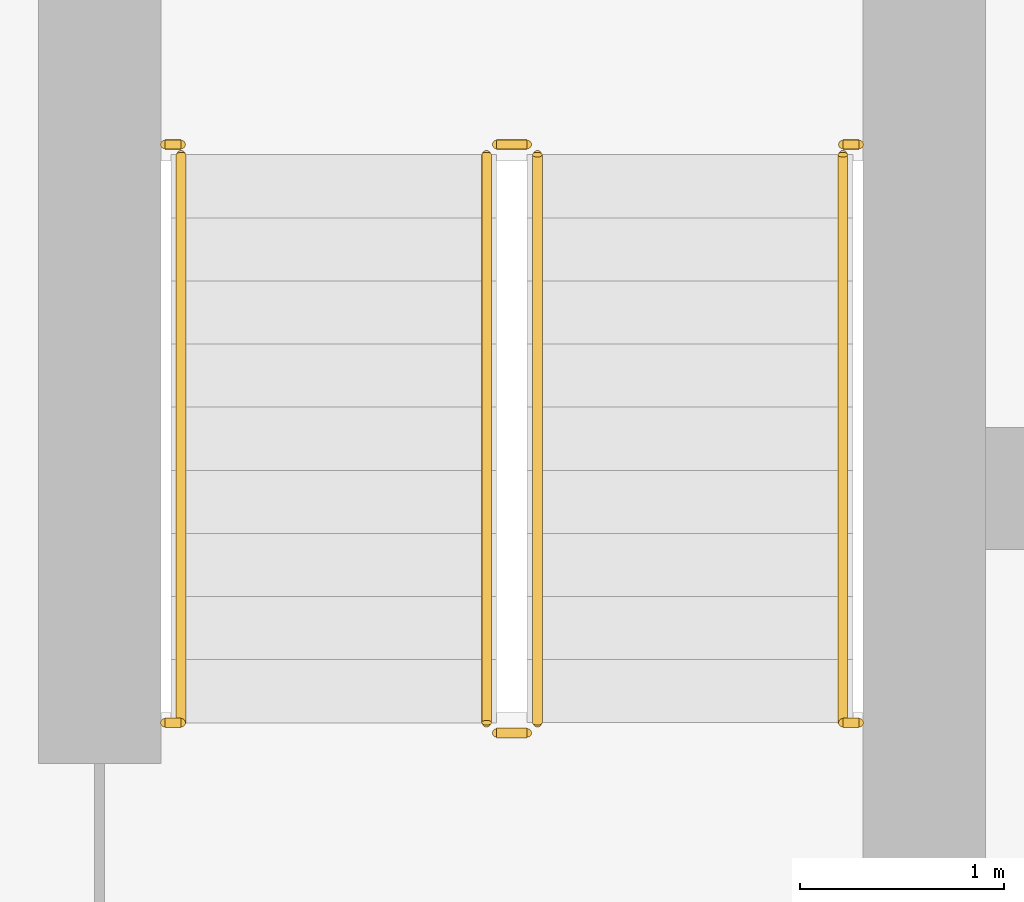
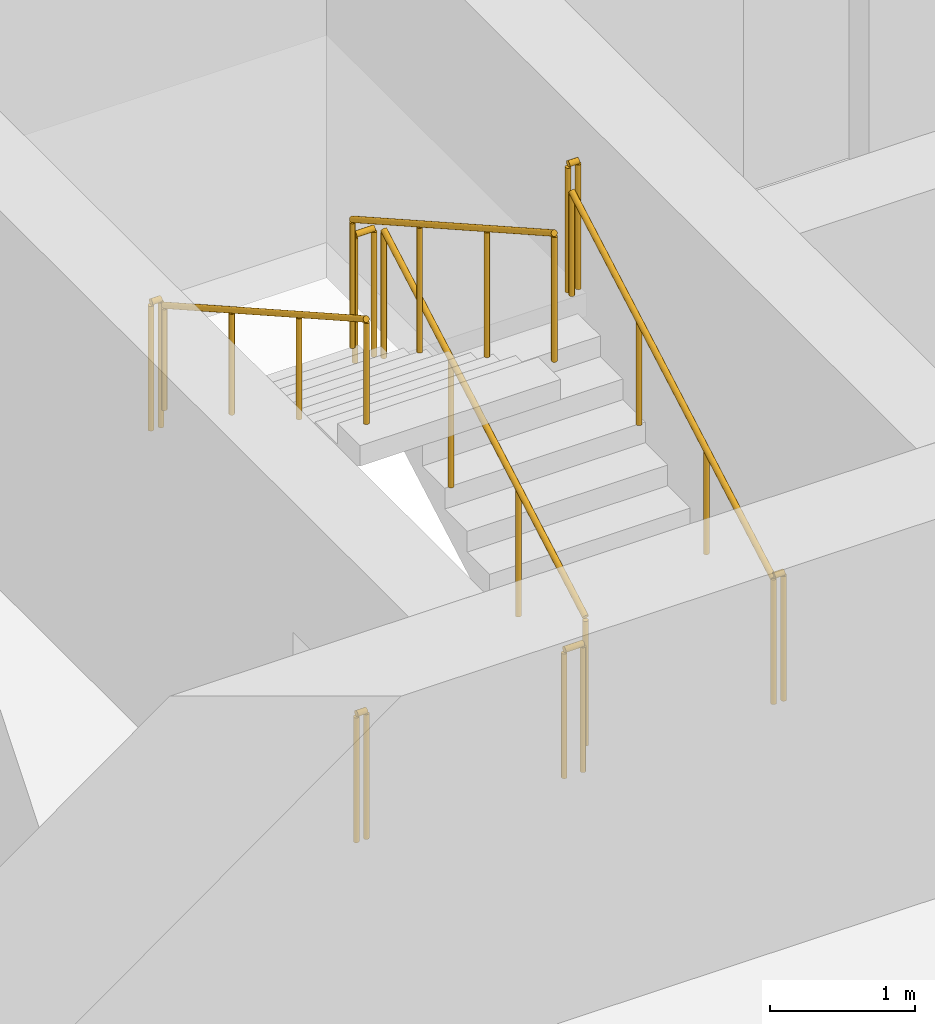
# One storey, part 18 of 22: 10 railings.
"""IFC4 building model written with IfcOpenShell, lengths in metres."""

from ifc_helpers import new_model, si_unit, direction, frame, origin, origin_2d, place, context, subcontext, project, spatial, circle, extrude, material, type_object, element, save


model = new_model("IFC4")

# Units and contexts
model_context = context("Model", 3, precision=1e-05, world=origin(), true_north=direction((0.0, 1.0)))
body_context = subcontext(model_context, "Body", "Model", "MODEL_VIEW")
ifc_project = project(units=[si_unit("LENGTHUNIT", "METRE"), si_unit("AREAUNIT", "SQUARE_METRE"), si_unit("VOLUMEUNIT", "CUBIC_METRE"), si_unit("PLANEANGLEUNIT", "RADIAN"), si_unit("MASSUNIT", "GRAM", prefix="KILO")], contexts=[model_context])

# Site, building, storey
site_placement = place(None, origin())
site = spatial("IfcSite", under=ifc_project, at=site_placement, CompositionType="ELEMENT")
building_placement = place(site_placement, origin())
building = spatial("IfcBuilding", under=site, at=building_placement, Name="Madar Terraces", CompositionType="ELEMENT")
storey_placement = place(building_placement, frame((0.0, 0.0, 152.5)))
storey = spatial("IfcBuildingStorey", under=building, at=storey_placement, Name="L39", CompositionType="ELEMENT", Elevation=152.5)

# Railings
ifc_material_1 = material(Name="Stainless steel railing", Category="steel")
railing_type_1 = type_object("IfcRailingType", Name="Stair guard 1100", PredefinedType="GUARDRAIL", material=ifc_material_1)
railing_1_placement = place(storey_placement, frame((21.199951171875, 17.60009765625, 0.175048828125)))
element("IfcRailing", 1, at=railing_1_placement, inside=storey, type_object=railing_type_1, Name="L39 ST1 stair guard 1", PredefinedType="GUARDRAIL", context=body_context, shape_type="SweptSolid", body=[
    extrude(circle(Radius=0.02392578125, at=origin_2d()), frame((0.0, 0.0, 1.076171875), z_axis=(0.0, 0.870815363784, 0.491610213684), x_axis=(-1.0, 0.0, 0.0)), (0.0, 0.0, 1.0), 3.20361328125),
    extrude(circle(Radius=0.02099609375, at=origin_2d()), origin(), (0.0, 0.0, 1.0), 1.052001953125),
    extrude(circle(Radius=0.02099609375, at=origin_2d()), frame((0.0, 0.929931640625, 0.52490234375)), (0.0, 0.0, 1.0), 1.052001953125),
    extrude(circle(Radius=0.02099609375, at=origin_2d()), frame((0.0, 1.85986328125, 1.050048828125)), (0.0, 0.0, 1.0), 1.052001953125),
    extrude(circle(Radius=0.02099609375, at=origin_2d()), frame((0.0, 2.789794921875, 1.574951171875)), (0.0, 0.0, 1.0), 1.052001953125),
])
railing_2_placement = place(storey_placement, frame((21.14990234375, 20.43994140625, 1.75)))
element("IfcRailing", 2, at=railing_2_placement, inside=storey, type_object=railing_type_1, Name="L39 ST1 stair guard 2", PredefinedType="GUARDRAIL", context=body_context, shape_type="SweptSolid", body=[
    extrude(circle(Radius=0.02392578125, at=origin_2d()), frame((0.0, 0.0, 1.076171875), z_axis=(-1.0, 0.0, 0.0), x_axis=(0.0, -1.0, 0.0)), (0.0, 0.0, 1.0), 0.14990234375),
    extrude(circle(Radius=0.02099609375, at=origin_2d()), origin(), (0.0, 0.0, 1.0), 1.052001953125),
    extrude(circle(Radius=0.02099609375, at=origin_2d()), frame((-0.14990234375, 0.0, 0.0)), (0.0, 0.0, 1.0), 1.052001953125),
])
railing_3_placement = place(storey_placement, frame((20.949951171875, 20.389892578125, 1.925048828125)))
element("IfcRailing", 3, at=railing_3_placement, inside=storey, type_object=railing_type_1, Name="L39 ST1 stair guard 3", PredefinedType="GUARDRAIL", context=body_context, shape_type="SweptSolid", body=[
    extrude(circle(Radius=0.02392578125, at=origin_2d()), frame((0.0, 0.0, 1.076171875), z_axis=(0.0, -0.870815363784, 0.491610213684), x_axis=(1.0, 0.0, 0.0)), (0.0, 0.0, 1.0), 3.20361328125),
    extrude(circle(Radius=0.02099609375, at=origin_2d()), origin(), (0.0, 0.0, 1.0), 1.052001953125),
    extrude(circle(Radius=0.02099609375, at=origin_2d()), frame((0.0, -0.929931640625, 0.52490234375)), (0.0, 0.0, 1.0), 1.052001953125),
    extrude(circle(Radius=0.02099609375, at=origin_2d()), frame((0.0, -1.85986328125, 1.050048828125)), (0.0, 0.0, 1.0), 1.052001953125),
    extrude(circle(Radius=0.02099609375, at=origin_2d()), frame((0.0, -2.789794921875, 1.574951171875)), (0.0, 0.0, 1.0), 1.052001953125),
])
railing_4_placement = place(storey_placement, frame((21.14990234375, 17.550048828125, 0.0)))
element("IfcRailing", 4, at=railing_4_placement, inside=storey, type_object=railing_type_1, Name="L39 ST1 stair guard 4", PredefinedType="GUARDRAIL", context=body_context, shape_type="SweptSolid", body=[
    extrude(circle(Radius=0.02392578125, at=origin_2d()), frame((0.0, 0.0, 1.076171875), z_axis=(-1.0, 0.0, 0.0), x_axis=(0.0, -1.0, 0.0)), (0.0, 0.0, 1.0), 0.14990234375),
    extrude(circle(Radius=0.02099609375, at=origin_2d()), origin(), (0.0, 0.0, 1.0), 1.052001953125),
    extrude(circle(Radius=0.02099609375, at=origin_2d()), frame((-0.14990234375, 0.0, 0.0)), (0.0, 0.0, 1.0), 1.052001953125),
])
railing_5_placement = place(storey_placement, frame((19.3701171875, 20.43994140625, 1.75)))
element("IfcRailing", 5, at=railing_5_placement, inside=storey, type_object=railing_type_1, Name="L39 stair guard seat 1", PredefinedType="GUARDRAIL", context=body_context, shape_type="SweptSolid", body=[
    extrude(circle(Radius=0.02392578125, at=origin_2d()), frame((0.0, 0.0, 1.076171875), z_axis=(1.0, 0.0, 0.0), x_axis=(0.0, 1.0, 0.0)), (0.0, 0.0, 1.0), 0.079833984375),
    extrude(circle(Radius=0.02099609375, at=origin_2d()), origin(), (0.0, 0.0, 1.0), 1.052001953125),
    extrude(circle(Radius=0.02099609375, at=origin_2d()), frame((0.079833984375, 0.0, 0.0)), (0.0, 0.0, 1.0), 1.052001953125),
])
railing_6_placement = place(storey_placement, frame((22.699951171875, 20.43994140625, 1.75)))
element("IfcRailing", 6, at=railing_6_placement, inside=storey, type_object=railing_type_1, Name="L39 stair guard seat 2", PredefinedType="GUARDRAIL", context=body_context, shape_type="SweptSolid", body=[
    extrude(circle(Radius=0.02392578125, at=origin_2d()), frame((0.0, 0.0, 1.076171875), z_axis=(1.0, 0.0, 0.0), x_axis=(0.0, 1.0, 0.0)), (0.0, 0.0, 1.0), 0.080078125),
    extrude(circle(Radius=0.02099609375, at=origin_2d()), origin(), (0.0, 0.0, 1.0), 1.052001953125),
    extrude(circle(Radius=0.02099609375, at=origin_2d()), frame((0.080078125, 0.0, 0.0)), (0.0, 0.0, 1.0), 1.052001953125),
])
railing_7_placement = place(storey_placement, frame((19.3701171875, 17.60009765625, 0.0)))
element("IfcRailing", 7, at=railing_7_placement, inside=storey, type_object=railing_type_1, Name="L39 stair guard floor 1", PredefinedType="GUARDRAIL", context=body_context, shape_type="SweptSolid", body=[
    extrude(circle(Radius=0.02392578125, at=origin_2d()), frame((0.0, 0.0, 1.076171875), z_axis=(1.0, 0.0, 0.0), x_axis=(0.0, 1.0, 0.0)), (0.0, 0.0, 1.0), 0.079833984375),
    extrude(circle(Radius=0.02099609375, at=origin_2d()), origin(), (0.0, 0.0, 1.0), 1.052001953125),
    extrude(circle(Radius=0.02099609375, at=origin_2d()), frame((0.079833984375, 0.0, 0.0)), (0.0, 0.0, 1.0), 1.052001953125),
])
railing_8_placement = place(storey_placement, frame((22.699951171875, 17.60009765625, 0.0)))
element("IfcRailing", 8, at=railing_8_placement, inside=storey, type_object=railing_type_1, Name="L39 stair guard floor 2", PredefinedType="GUARDRAIL", context=body_context, shape_type="SweptSolid", body=[
    extrude(circle(Radius=0.02392578125, at=origin_2d()), frame((0.0, 0.0, 1.076171875), z_axis=(1.0, 0.0, 0.0), x_axis=(0.0, 1.0, 0.0)), (0.0, 0.0, 1.0), 0.080078125),
    extrude(circle(Radius=0.02099609375, at=origin_2d()), origin(), (0.0, 0.0, 1.0), 1.052001953125),
    extrude(circle(Radius=0.02099609375, at=origin_2d()), frame((0.080078125, 0.0, 0.0)), (0.0, 0.0, 1.0), 1.052001953125),
])
ifc_material_2 = material(Name="Stainless steel railing", Category="steel")
railing_type_2 = type_object("IfcRailingType", Name="Stair handrail 900", PredefinedType="HANDRAIL", material=ifc_material_2)
railing_9_placement = place(storey_placement, frame((22.699951171875, 17.60009765625, 0.175048828125)))
element("IfcRailing", 9, at=railing_9_placement, inside=storey, type_object=railing_type_2, Name="L39 ST1 stair handrail 1", PredefinedType="HANDRAIL", context=body_context, shape_type="SweptSolid", body=[
    extrude(circle(Radius=0.02392578125, at=origin_2d()), frame((0.0, 0.0, 0.8759765625), z_axis=(0.0, 0.870815363784, 0.491610213684), x_axis=(-1.0, 0.0, 0.0)), (0.0, 0.0, 1.0), 3.20361328125),
    extrude(circle(Radius=0.02099609375, at=origin_2d()), origin(), (0.0, 0.0, 1.0), 0.851806640625),
    extrude(circle(Radius=0.02099609375, at=origin_2d()), frame((0.0, 0.929931640625, 0.52490234375)), (0.0, 0.0, 1.0), 0.851806640625),
    extrude(circle(Radius=0.02099609375, at=origin_2d()), frame((0.0, 1.85986328125, 1.050048828125)), (0.0, 0.0, 1.0), 0.851806640625),
    extrude(circle(Radius=0.02099609375, at=origin_2d()), frame((0.0, 2.789794921875, 1.574951171875)), (0.0, 0.0, 1.0), 0.851806640625),
])
railing_10_placement = place(storey_placement, frame((19.449951171875, 20.389892578125, 1.925048828125)))
element("IfcRailing", 10, at=railing_10_placement, inside=storey, type_object=railing_type_2, Name="L39 ST1 stair handrail 2", PredefinedType="HANDRAIL", context=body_context, shape_type="SweptSolid", body=[
    extrude(circle(Radius=0.02392578125, at=origin_2d()), frame((0.0, 0.0, 0.8759765625), z_axis=(0.0, -0.870815363784, 0.491610213684), x_axis=(1.0, 0.0, 0.0)), (0.0, 0.0, 1.0), 3.20361328125),
    extrude(circle(Radius=0.02099609375, at=origin_2d()), origin(), (0.0, 0.0, 1.0), 0.851806640625),
    extrude(circle(Radius=0.02099609375, at=origin_2d()), frame((0.0, -0.929931640625, 0.52490234375)), (0.0, 0.0, 1.0), 0.851806640625),
    extrude(circle(Radius=0.02099609375, at=origin_2d()), frame((0.0, -1.85986328125, 1.050048828125)), (0.0, 0.0, 1.0), 0.851806640625),
    extrude(circle(Radius=0.02099609375, at=origin_2d()), frame((0.0, -2.789794921875, 1.574951171875)), (0.0, 0.0, 1.0), 0.851806640625),
])

save(model, "model.ifc")
